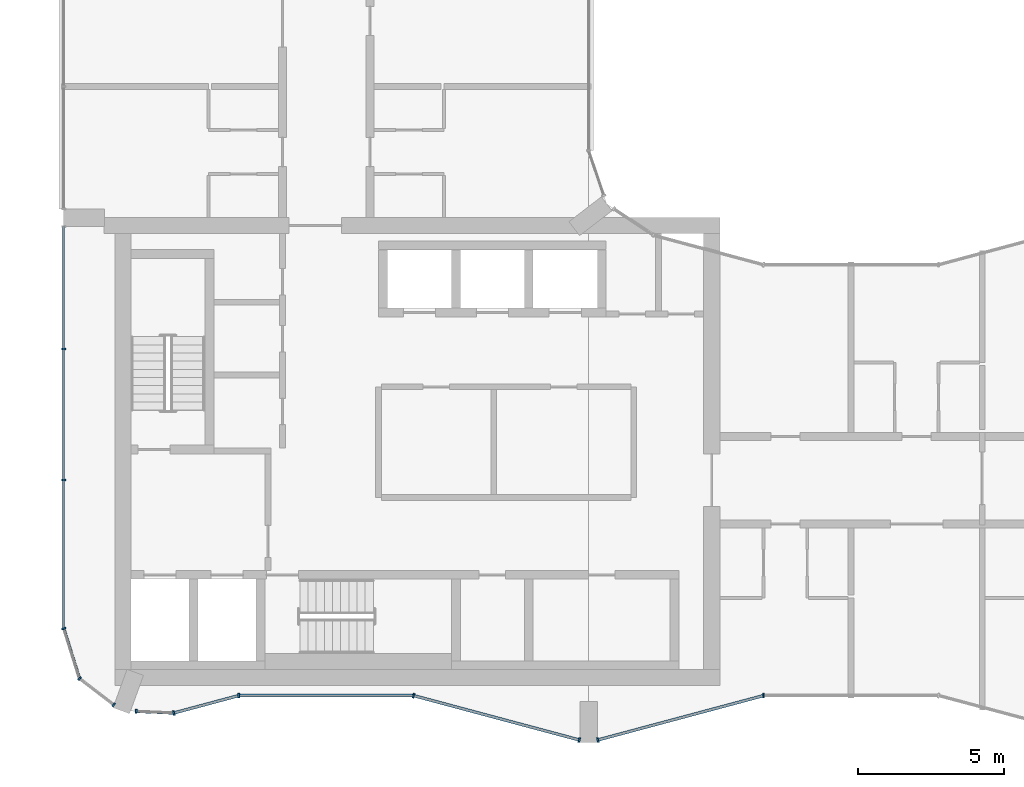
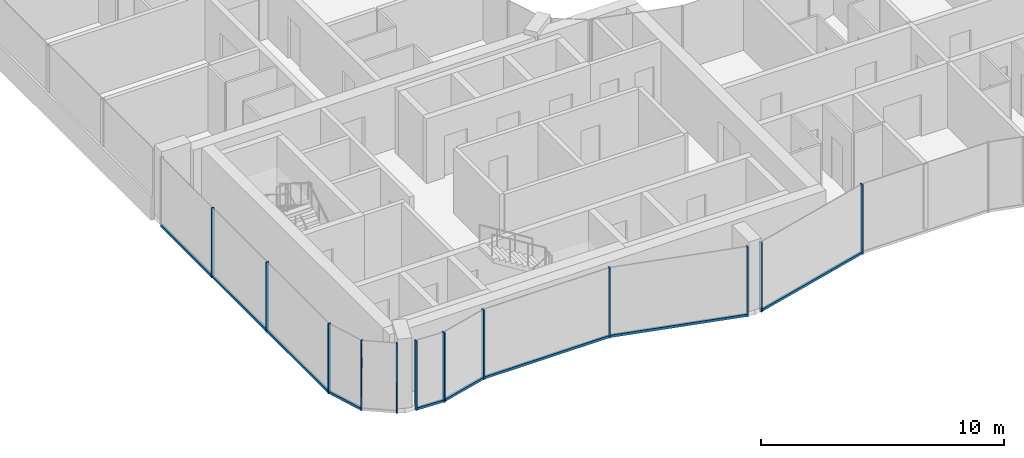
# One storey, part 2 of 15: 19 members, 9 elements without a shape of their own.
"""IFC4 building model written with IfcOpenShell, lengths in metres."""

from ifc_helpers import new_model, si_unit, direction, frame, origin, origin_2d, place, context, subcontext, project, spatial, rectangle, extrude, material, layer, layer_set, material_profile, profile_set, type_object, element, aggregate, save


model = new_model("IFC4")

# Units and contexts
model_context = context("Model", 3, precision=1e-05, world=origin(), true_north=direction((0.0, 1.0)))
body_context = subcontext(model_context, "Body", "Model", "MODEL_VIEW")
ifc_project = project(units=[si_unit("LENGTHUNIT", "METRE"), si_unit("AREAUNIT", "SQUARE_METRE"), si_unit("VOLUMEUNIT", "CUBIC_METRE"), si_unit("PLANEANGLEUNIT", "RADIAN"), si_unit("MASSUNIT", "GRAM", prefix="KILO")], contexts=[model_context])

# Site, building, storey
site_placement = place(None, origin())
site = spatial("IfcSite", under=ifc_project, at=site_placement, CompositionType="ELEMENT")
building_placement = place(site_placement, origin())
building = spatial("IfcBuilding", under=site, at=building_placement, Name="Plateau Cross Towers", CompositionType="ELEMENT")
storey_placement = place(building_placement, frame((0.0, 0.0, 197.89990234375)))
storey = spatial("IfcBuildingStorey", under=building, at=storey_placement, Name="L51", CompositionType="ELEMENT", Elevation=197.89990234375)

# Curtain wall, members
ifc_material_1 = material(Name="Dark low-iron glass", Category="glass")
ifc_layer_1 = layer(ifc_material_1, 0.239990234375)
ifc_layer_set_1 = layer_set([ifc_layer_1], Name="Dark low-iron glass")
curtain_wall_type_1 = type_object("IfcCurtainWallType", Name="Curtain wall flush unitised CW-B", PredefinedType="NOTDEFINED", material=ifc_layer_set_1)
curtain_wall_1_placement = place(storey_placement, origin())
curtain_wall_1 = element("IfcCurtainWall", 1, at=curtain_wall_1_placement, inside=storey, type_object=curtain_wall_type_1, Name="ENV/A/L51/A0_177", PredefinedType="NOTDEFINED")
ifc_material_2 = material(Name="Black anodised aluminium", Category="aluminium")
ifc_material_profile_1 = material_profile(ifc_material_2, rectangle(XDim=0.06005859375, YDim=0.139892578125, at=origin_2d()), Name="MULLION 60x140")
ifc_profile_set_1 = profile_set([ifc_material_profile_1], Name="Black anodised aluminium")
member_type_1 = type_object("IfcMemberType", Name="Mullion 60x140 flush unitised", PredefinedType="MULLION", material=ifc_profile_set_1)
member_1_placement = place(storey_placement, frame((0.0, 13.5, -0.25), z_axis=(0.0, 0.0, 1.0), x_axis=(0.0, -1.0, 0.0)))
member_1 = element("IfcMember", 2, at=member_1_placement, type_object=member_type_1, Name="CW-B mullion 2", PredefinedType="MULLION", context=body_context, shape_type="SweptSolid", body=[
    extrude(rectangle(XDim=0.06005859375, YDim=0.139892578125, at=origin_2d()), origin(), (0.0, 0.0, 1.0), 3.5),
])
member_2_placement = place(storey_placement, frame((0.0, 9.0, -0.25), z_axis=(0.0, 0.0, 1.0), x_axis=(0.0, -1.0, 0.0)))
member_2 = element("IfcMember", 3, at=member_2_placement, type_object=member_type_1, Name="CW-B mullion 3", PredefinedType="MULLION", context=body_context, shape_type="SweptSolid", body=[
    extrude(rectangle(XDim=0.06005859375, YDim=0.139892578125, at=origin_2d()), origin(), (0.0, 0.0, 1.0), 3.5),
])

# Curtain wall, member
curtain_wall_2_placement = place(storey_placement, origin())
curtain_wall_2 = element("IfcCurtainWall", 4, at=curtain_wall_2_placement, inside=storey, type_object=curtain_wall_type_1, Name="ENV/A/L51/A0_39", PredefinedType="NOTDEFINED")
member_3_placement = place(storey_placement, frame((0.0, 3.9091796875, -0.25), z_axis=(0.0, 0.0, 1.0), x_axis=(0.300686174994, -0.95372313811, 0.0)))
member_3 = element("IfcMember", 5, at=member_3_placement, type_object=member_type_1, Name="CW-B mullion 1", PredefinedType="MULLION", context=body_context, shape_type="SweptSolid", body=[
    extrude(rectangle(XDim=0.06005859375, YDim=0.139892578125, at=origin_2d()), origin(), (0.0, 0.0, 1.0), 3.5),
])

# Curtain wall, members
curtain_wall_3_placement = place(storey_placement, origin())
curtain_wall_3 = element("IfcCurtainWall", 6, at=curtain_wall_3_placement, inside=storey, type_object=curtain_wall_type_1, Name="ENV/A/L51/A5_22", PredefinedType="NOTDEFINED")
member_4_placement = place(storey_placement, frame((0.54248046875, 2.1884765625, -0.25), z_axis=(0.0, 0.0, 1.0), x_axis=(0.793315514529, -0.608810721331, 0.0)))
member_4 = element("IfcMember", 7, at=member_4_placement, type_object=member_type_1, Name="CW-B mullion 1", PredefinedType="MULLION", context=body_context, shape_type="SweptSolid", body=[
    extrude(rectangle(XDim=0.06005859375, YDim=0.139892578125, at=origin_2d()), origin(), (0.0, 0.0, 1.0), 3.5),
])
member_5_placement = place(storey_placement, frame((1.709716796875, 1.292724609375, -0.25), z_axis=(0.0, 0.0, 1.0), x_axis=(0.793315514529, -0.608810721331, 0.0)))
member_5 = element("IfcMember", 8, at=member_5_placement, type_object=member_type_1, Name="CW-B mullion 2", PredefinedType="MULLION", context=body_context, shape_type="SweptSolid", body=[
    extrude(rectangle(XDim=0.06005859375, YDim=0.139892578125, at=origin_2d()), origin(), (0.0, 0.0, 1.0), 3.5),
])
aggregate(curtain_wall_3, [member_4, member_5])

# Curtain wall, member
curtain_wall_4_placement = place(storey_placement, origin())
curtain_wall_4 = element("IfcCurtainWall", 9, at=curtain_wall_4_placement, inside=storey, type_object=curtain_wall_type_1, Name="ENV/A/L51/A25_11", PredefinedType="NOTDEFINED")
member_6_placement = place(storey_placement, frame((2.483642578125, 1.06787109375, -0.25), z_axis=(0.0, 0.0, 1.0), x_axis=(0.999043701491, -0.043722791671, 0.0)))
member_6 = element("IfcMember", 10, at=member_6_placement, type_object=member_type_1, Name="CW-B mullion 1", PredefinedType="MULLION", context=body_context, shape_type="SweptSolid", body=[
    extrude(rectangle(XDim=0.06005859375, YDim=0.139892578125, at=origin_2d()), origin(), (0.0, 0.0, 1.0), 3.5),
])

ifc_layer_2 = layer(ifc_material_1, 0.260009765625)
ifc_layer_set_2 = layer_set([ifc_layer_2], Name="Dark low-iron glass")
curtain_wall_type_2 = type_object("IfcCurtainWallType", Name="Curtain wall fluted unitised CW-A", PredefinedType="NOTDEFINED", material=ifc_layer_set_2)
curtain_wall_5_placement = place(storey_placement, origin())
curtain_wall_5 = element("IfcCurtainWall", 11, at=curtain_wall_5_placement, inside=storey, type_object=curtain_wall_type_2, Name="ENV/A/L51/A38_10", PredefinedType="NOTDEFINED")
ifc_material_profile_2 = material_profile(ifc_material_2, rectangle(XDim=0.06005859375, YDim=0.159912109375, at=origin_2d()), Name="MULLION 60x160")
ifc_profile_set_2 = profile_set([ifc_material_profile_2], Name="Black anodised aluminium")
member_type_2 = type_object("IfcMemberType", Name="Mullion 60x160 fluted unitised", PredefinedType="MULLION", material=ifc_profile_set_2)
member_7_placement = place(storey_placement, frame((3.776123046875, 1.01123046875, -0.25), z_axis=(0.0, 0.0, 1.0), x_axis=(0.965957962328, 0.258699081978, 0.0)))
member_7 = element("IfcMember", 12, at=member_7_placement, type_object=member_type_2, Name="CW-A mullion 1", PredefinedType="MULLION", context=body_context, shape_type="SweptSolid", body=[
    extrude(rectangle(XDim=0.06005859375, YDim=0.159912109375, at=origin_2d()), origin(), (0.0, 0.0, 1.0), 3.5),
])

curtain_wall_6_placement = place(storey_placement, origin())
curtain_wall_6 = element("IfcCurtainWall", 13, at=curtain_wall_6_placement, inside=storey, type_object=curtain_wall_type_2, Name="ENV/A/L51/A60_16", PredefinedType="NOTDEFINED")
member_8_placement = place(storey_placement, frame((6.0, 1.60693359375, -0.25), z_axis=(0.0, 0.0, 1.0), x_axis=(1.0, 0.0, 0.0)))
member_8 = element("IfcMember", 14, at=member_8_placement, type_object=member_type_2, Name="CW-A mullion 1", PredefinedType="MULLION", context=body_context, shape_type="SweptSolid", body=[
    extrude(rectangle(XDim=0.06005859375, YDim=0.159912109375, at=origin_2d()), origin(), (0.0, 0.0, 1.0), 3.5),
])

# Curtain wall, members
curtain_wall_7_placement = place(storey_placement, origin())
curtain_wall_7 = element("IfcCurtainWall", 15, at=curtain_wall_7_placement, inside=storey, type_object=curtain_wall_type_2, Name="ENV/A/L51/A120_16", PredefinedType="NOTDEFINED")
member_9_placement = place(storey_placement, frame((12.0, 1.60693359375, -0.25), z_axis=(0.0, 0.0, 1.0), x_axis=(0.965957983404, -0.258699003279, 0.0)))
member_9 = element("IfcMember", 16, at=member_9_placement, type_object=member_type_2, Name="CW-A mullion 1", PredefinedType="MULLION", context=body_context, shape_type="SweptSolid", body=[
    extrude(rectangle(XDim=0.06005859375, YDim=0.159912109375, at=origin_2d()), origin(), (0.0, 0.0, 1.0), 3.5),
])
member_10_placement = place(storey_placement, frame((17.68212890625, 0.085205078125, -0.25), z_axis=(0.0, 0.0, 1.0), x_axis=(0.965957983404, -0.258699003279, 0.0)))
member_10 = element("IfcMember", 17, at=member_10_placement, type_object=member_type_2, Name="CW-A mullion 2", PredefinedType="MULLION", context=body_context, shape_type="SweptSolid", body=[
    extrude(rectangle(XDim=0.06005859375, YDim=0.159912109375, at=origin_2d()), origin(), (0.0, 0.0, 1.0), 3.5),
])

# Curtain wall, member
curtain_wall_8_placement = place(storey_placement, origin())
curtain_wall_8 = element("IfcCurtainWall", 18, at=curtain_wall_8_placement, inside=storey, type_object=curtain_wall_type_2, Name="ENV/A/L51/A183_1", PredefinedType="NOTDEFINED")
member_11_placement = place(storey_placement, frame((18.31787109375, 0.085205078125, -0.25), z_axis=(0.0, 0.0, 1.0), x_axis=(0.965957983404, 0.258699003279, 0.0)))
member_11 = element("IfcMember", 19, at=member_11_placement, type_object=member_type_2, Name="CW-A mullion 1", PredefinedType="MULLION", context=body_context, shape_type="SweptSolid", body=[
    extrude(rectangle(XDim=0.06005859375, YDim=0.159912109375, at=origin_2d()), origin(), (0.0, 0.0, 1.0), 3.5),
])

curtain_wall_9_placement = place(storey_placement, origin())
curtain_wall_9 = element("IfcCurtainWall", 20, at=curtain_wall_9_placement, inside=storey, type_object=curtain_wall_type_2, Name="ENV/A/L51/A240_16", PredefinedType="NOTDEFINED")
member_12_placement = place(storey_placement, frame((24.0, 1.60693359375, -0.25), z_axis=(0.0, 0.0, 1.0), x_axis=(1.0, 0.0, 0.0)))
member_12 = element("IfcMember", 21, at=member_12_placement, type_object=member_type_2, Name="CW-A mullion 1", PredefinedType="MULLION", context=body_context, shape_type="SweptSolid", body=[
    extrude(rectangle(XDim=0.06005859375, YDim=0.159912109375, at=origin_2d()), origin(), (0.0, 0.0, 1.0), 3.5),
])
aggregate(curtain_wall_9, [member_12])

# Member
ifc_material_profile_3 = material_profile(ifc_material_2, rectangle(XDim=0.10009765625, YDim=0.1201171875, at=origin_2d()), Name="TRANSOM 100x120")
ifc_profile_set_3 = profile_set([ifc_material_profile_3], Name="Black anodised aluminium")
member_type_3 = type_object("IfcMemberType", Name="Transom 100x120 flush unitised", PredefinedType="USERDEFINED", material=ifc_profile_set_3)
member_13_placement = place(storey_placement, frame((0.0, 17.699951171875, -0.18994140625), z_axis=(0.0, -1.0, 0.0), x_axis=(1.0, 0.0, 0.0)))
member_13 = element("IfcMember", 22, at=member_13_placement, type_object=member_type_3, Name="CW-B transom", ObjectType="TRANSOM", PredefinedType="USERDEFINED", context=body_context, shape_type="SweptSolid", body=[
    extrude(rectangle(XDim=0.10009765625, YDim=0.1201171875, at=origin_2d()), origin(), (0.0, 0.0, 1.0), 13.790771484375),
])

aggregate(curtain_wall_1, [member_1, member_2, member_13])

member_14_placement = place(storey_placement, frame((0.0, 3.9091796875, -0.18994140625), z_axis=(0.30067799945, -0.953725715626, 0.0), x_axis=(0.953725715626, 0.30067799945, 0.0)))
member_14 = element("IfcMember", 23, at=member_14_placement, type_object=member_type_3, Name="CW-B transom", ObjectType="TRANSOM", PredefinedType="USERDEFINED", context=body_context, shape_type="SweptSolid", body=[
    extrude(rectangle(XDim=0.10009765625, YDim=0.1201171875, at=origin_2d()), origin(), (0.0, 0.0, 1.0), 1.80419921875),
])

aggregate(curtain_wall_2, [member_3, member_14])

member_15_placement = place(storey_placement, frame((2.483642578125, 1.06787109375, -0.18994140625), z_axis=(0.999041144614, -0.043781175963, 0.0), x_axis=(0.043781175963, 0.999041144614, 0.0)))
member_15 = element("IfcMember", 24, at=member_15_placement, type_object=member_type_3, Name="CW-B transom", ObjectType="TRANSOM", PredefinedType="USERDEFINED", context=body_context, shape_type="SweptSolid", body=[
    extrude(rectangle(XDim=0.10009765625, YDim=0.1201171875, at=origin_2d()), origin(), (0.0, 0.0, 1.0), 1.293701171875),
])

aggregate(curtain_wall_4, [member_6, member_15])

ifc_material_profile_4 = material_profile(ifc_material_2, rectangle(XDim=0.10009765625, YDim=0.1201171875, at=origin_2d()), Name="TRANSOM 100x120")
ifc_profile_set_4 = profile_set([ifc_material_profile_4], Name="Black anodised aluminium")
member_type_4 = type_object("IfcMemberType", Name="Transom 100x120 fluted unitised", PredefinedType="USERDEFINED", material=ifc_profile_set_4)
member_16_placement = place(storey_placement, frame((3.776123046875, 1.01123046875, -0.18994140625), z_axis=(0.965945685136, 0.258744919501, 0.0), x_axis=(-0.258744919501, 0.965945685136, 0.0)))
member_16 = element("IfcMember", 25, at=member_16_placement, type_object=member_type_4, Name="CW-A transom", ObjectType="TRANSOM", PredefinedType="USERDEFINED", context=body_context, shape_type="SweptSolid", body=[
    extrude(rectangle(XDim=0.10009765625, YDim=0.1201171875, at=origin_2d()), origin(), (0.0, 0.0, 1.0), 2.30224609375),
])

aggregate(curtain_wall_5, [member_7, member_16])

member_17_placement = place(storey_placement, frame((6.0, 1.60693359375, -0.18994140625), z_axis=(1.0, 0.0, 0.0), x_axis=(0.0, 1.0, 0.0)))
member_17 = element("IfcMember", 26, at=member_17_placement, type_object=member_type_4, Name="CW-A transom", ObjectType="TRANSOM", PredefinedType="USERDEFINED", context=body_context, shape_type="SweptSolid", body=[
    extrude(rectangle(XDim=0.10009765625, YDim=0.1201171875, at=origin_2d()), origin(), (0.0, 0.0, 1.0), 6.0),
])

aggregate(curtain_wall_6, [member_8, member_17])

member_18_placement = place(storey_placement, frame((12.0, 1.60693359375, -0.18994140625), z_axis=(0.965959534794, -0.258693210465, 0.0), x_axis=(0.258693210465, 0.965959534794, 0.0)))
member_18 = element("IfcMember", 27, at=member_18_placement, type_object=member_type_4, Name="CW-A transom", ObjectType="TRANSOM", PredefinedType="USERDEFINED", context=body_context, shape_type="SweptSolid", body=[
    extrude(rectangle(XDim=0.10009765625, YDim=0.1201171875, at=origin_2d()), origin(), (0.0, 0.0, 1.0), 5.88232421875),
])

aggregate(curtain_wall_7, [member_9, member_10, member_18])

member_19_placement = place(storey_placement, frame((18.31787109375, 0.085205078125, -0.18994140625), z_axis=(0.965959534794, 0.258693210465, 0.0), x_axis=(-0.258693210465, 0.965959534794, 0.0)))
member_19 = element("IfcMember", 28, at=member_19_placement, type_object=member_type_4, Name="CW-A transom", ObjectType="TRANSOM", PredefinedType="USERDEFINED", context=body_context, shape_type="SweptSolid", body=[
    extrude(rectangle(XDim=0.10009765625, YDim=0.1201171875, at=origin_2d()), origin(), (0.0, 0.0, 1.0), 5.88232421875),
])

aggregate(curtain_wall_8, [member_11, member_19])

save(model, "model.ifc")
